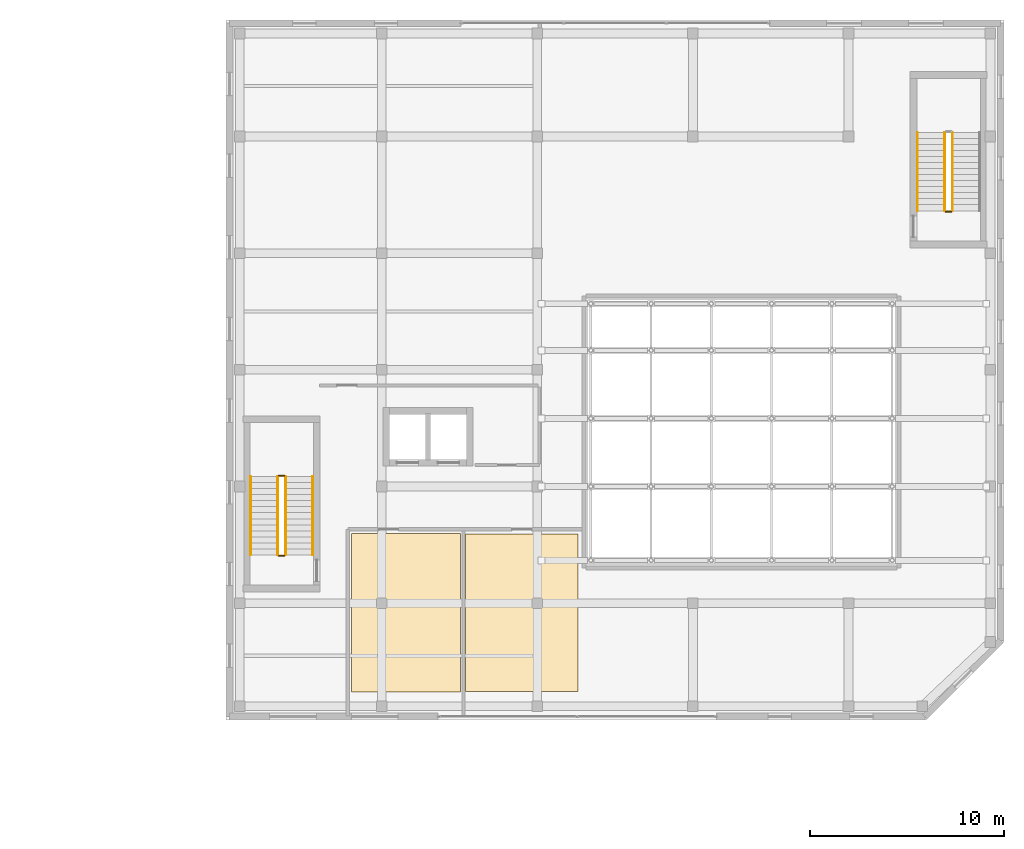
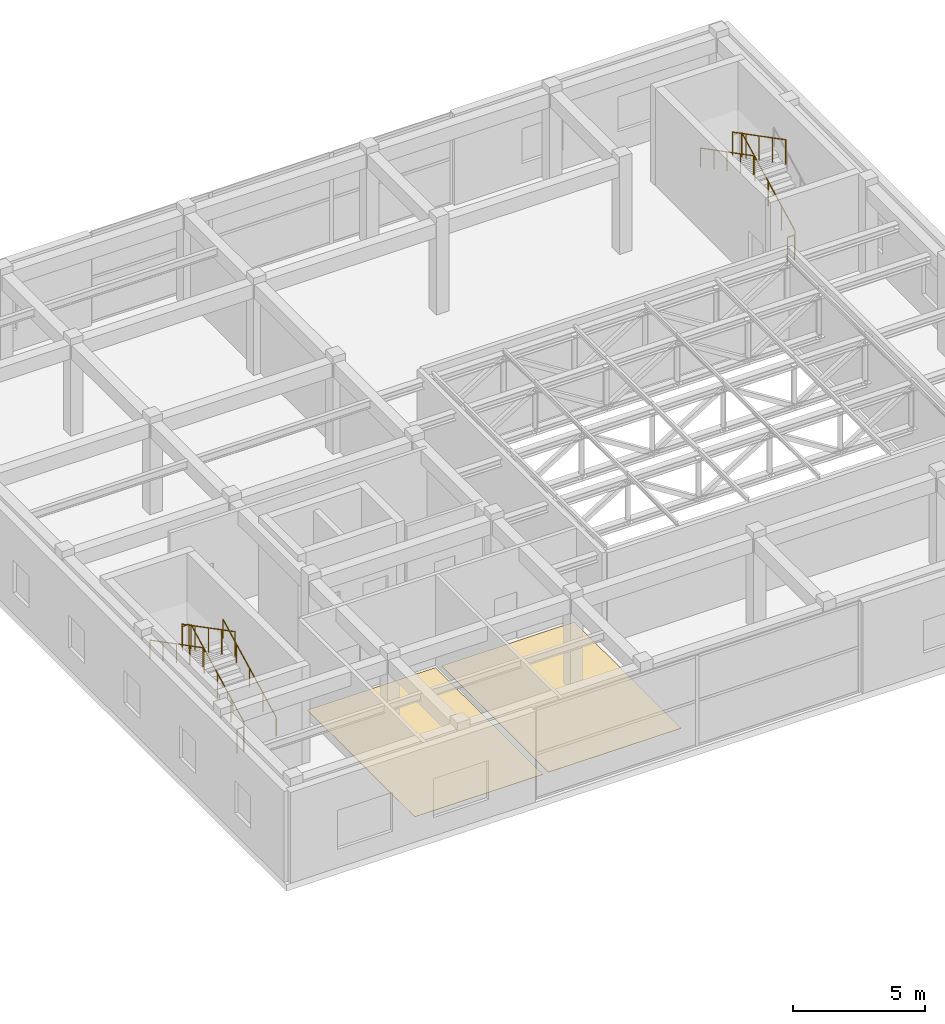
# One storey, part 32 of 33: 10 railings, 2 coverings.
"""IFC4 building model written with IfcOpenShell, lengths in metres."""

from ifc_helpers import new_model, si_unit, direction, frame, origin, origin_2d, place, context, subcontext, project, spatial, polyline, circle, outline, extrude, material, layer, layer_set, type_object, element, save


model = new_model("IFC4")

# Units and contexts
model_context = context("Model", 3, precision=1e-05, world=origin(), true_north=direction((0.0, 1.0)))
body_context = subcontext(model_context, "Body", "Model", "MODEL_VIEW")
ifc_project = project(units=[si_unit("LENGTHUNIT", "METRE"), si_unit("AREAUNIT", "SQUARE_METRE"), si_unit("VOLUMEUNIT", "CUBIC_METRE"), si_unit("PLANEANGLEUNIT", "RADIAN"), si_unit("MASSUNIT", "GRAM", prefix="KILO")], contexts=[model_context])

# Site, building, storey
site_placement = place(None, origin())
site = spatial("IfcSite", under=ifc_project, at=site_placement, CompositionType="ELEMENT")
building_placement = place(site_placement, origin())
building = spatial("IfcBuilding", under=site, at=building_placement, Name="Khoralis Quay Care Tower", CompositionType="ELEMENT")
storey_placement = place(building_placement, frame((0.0, 0.0, 18.0)))
storey = spatial("IfcBuildingStorey", under=building, at=storey_placement, Name="L04", CompositionType="ELEMENT", Elevation=18.0)

# Coverings
ifc_material_1 = material(Name="Porcelain and non-slip vinyl flooring")
ifc_layer = layer(ifc_material_1, 0.02001953125)
ifc_layer_set = layer_set([ifc_layer], Name="Porcelain and non-slip vinyl flooring")
covering_type = type_object("IfcCoveringType", Name="COV-FLOOR-20", PredefinedType="FLOORING", material=ifc_layer_set)
covering_1_placement = place(storey_placement, origin())
element("IfcCovering", 1, at=covering_1_placement, inside=storey, type_object=covering_type, Name="Resilient Healthcare Flooring SP-L04-SCS-0", PredefinedType="FLOORING", context=body_context, shape_type="SweptSolid", body=[
    extrude(outline(polyline([(74.43994140625, 7.429931640625), (80.0400390625, 7.429931640625), (80.0400390625, 15.570068359375), (74.43994140625, 15.570068359375), (74.43994140625, 7.429931640625)])), origin(), (0.0, 0.0, 1.0), 0.02001953125),
])
covering_2_placement = place(storey_placement, origin())
element("IfcCovering", 2, at=covering_2_placement, inside=storey, type_object=covering_type, Name="Resilient Healthcare Flooring SP-L04-SCS-1", PredefinedType="FLOORING", context=body_context, shape_type="SweptSolid", body=[
    extrude(outline(polyline([(80.300048828125, 7.449951171875), (86.10009765625, 7.449951171875), (86.10009765625, 15.550048828125), (80.300048828125, 15.550048828125), (80.300048828125, 7.449951171875)])), origin(), (0.0, 0.0, 1.0), 0.02001953125),
])

# Railings
ifc_material_2 = material(Name="Brushed stainless steel", Category="steel")
railing_type_1 = type_object("IfcRailingType", Name="RL-GUARD-1150", PredefinedType="GUARDRAIL", material=ifc_material_2)
railing_1_placement = place(storey_placement, frame((71.050048828125, 14.47998046875, 0.16064453125)))
element("IfcRailing", 3, at=railing_1_placement, inside=storey, type_object=railing_type_1, Name="L04 ST-S1 stair guard 1", PredefinedType="GUARDRAIL", context=body_context, shape_type="SweptSolid", body=[
    extrude(circle(Radius=0.02392578125, at=origin_2d()), frame((0.0, 0.0, 1.1259765625), z_axis=(0.0, 0.887780577991, 0.46026692836), x_axis=(-1.0, 0.0, 0.0)), (0.0, 0.0, 1.0), 4.53955078125),
    extrude(circle(Radius=0.02099609375, at=origin_2d()), origin(), (0.0, 0.0, 1.0), 1.101806640625),
    extrude(circle(Radius=0.02099609375, at=origin_2d()), frame((0.0, 1.007568359375, 0.5224609375)), (0.0, 0.0, 1.0), 1.101806640625),
    extrude(circle(Radius=0.02099609375, at=origin_2d()), frame((0.0, 2.01513671875, 1.044677734375)), (0.0, 0.0, 1.0), 1.101806640625),
    extrude(circle(Radius=0.02099609375, at=origin_2d()), frame((0.0, 3.0224609375, 1.56689453125)), (0.0, 0.0, 1.0), 1.101806640625),
    extrude(circle(Radius=0.02099609375, at=origin_2d()), frame((0.0, 4.030029296875, 2.08935546875)), (0.0, 0.0, 1.0), 1.101806640625),
])
railing_2_placement = place(storey_placement, frame((71.0, 18.56005859375, 2.25)))
element("IfcRailing", 4, at=railing_2_placement, inside=storey, type_object=railing_type_1, Name="L04 ST-S1 stair guard 2", PredefinedType="GUARDRAIL", context=body_context, shape_type="SweptSolid", body=[
    extrude(circle(Radius=0.02392578125, at=origin_2d()), frame((0.0, 0.0, 1.1259765625), z_axis=(-1.0, 0.0, 0.0), x_axis=(0.0, -1.0, 0.0)), (0.0, 0.0, 1.0), 0.300048828125),
    extrude(circle(Radius=0.02099609375, at=origin_2d()), origin(), (0.0, 0.0, 1.0), 1.101806640625),
    extrude(circle(Radius=0.02099609375, at=origin_2d()), frame((-0.300048828125, 0.0, 0.0)), (0.0, 0.0, 1.0), 1.101806640625),
])
railing_3_placement = place(storey_placement, frame((70.64990234375, 18.510009765625, 2.41064453125)))
element("IfcRailing", 5, at=railing_3_placement, inside=storey, type_object=railing_type_1, Name="L04 ST-S1 stair guard 3", PredefinedType="GUARDRAIL", context=body_context, shape_type="SweptSolid", body=[
    extrude(circle(Radius=0.02392578125, at=origin_2d()), frame((0.0, 0.0, 1.1259765625), z_axis=(0.0, -0.887780577991, 0.46026692836), x_axis=(1.0, 0.0, 0.0)), (0.0, 0.0, 1.0), 4.53955078125),
    extrude(circle(Radius=0.02099609375, at=origin_2d()), origin(), (0.0, 0.0, 1.0), 1.101806640625),
    extrude(circle(Radius=0.02099609375, at=origin_2d()), frame((0.0, -1.007568359375, 0.5224609375)), (0.0, 0.0, 1.0), 1.101806640625),
    extrude(circle(Radius=0.02099609375, at=origin_2d()), frame((0.0, -2.01513671875, 1.044677734375)), (0.0, 0.0, 1.0), 1.101806640625),
    extrude(circle(Radius=0.02099609375, at=origin_2d()), frame((0.0, -3.0224609375, 1.56689453125)), (0.0, 0.0, 1.0), 1.101806640625),
    extrude(circle(Radius=0.02099609375, at=origin_2d()), frame((0.0, -4.030029296875, 2.08935546875)), (0.0, 0.0, 1.0), 1.101806640625),
])
railing_4_placement = place(storey_placement, frame((71.0, 14.429931640625, 0.0)))
element("IfcRailing", 6, at=railing_4_placement, inside=storey, type_object=railing_type_1, Name="L04 ST-S1 stair guard 4", PredefinedType="GUARDRAIL", context=body_context, shape_type="SweptSolid", body=[
    extrude(circle(Radius=0.02392578125, at=origin_2d()), frame((0.0, 0.0, 1.1259765625), z_axis=(-1.0, 0.0, 0.0), x_axis=(0.0, -1.0, 0.0)), (0.0, 0.0, 1.0), 0.300048828125),
    extrude(circle(Radius=0.02099609375, at=origin_2d()), origin(), (0.0, 0.0, 1.0), 1.101806640625),
    extrude(circle(Radius=0.02099609375, at=origin_2d()), frame((-0.300048828125, 0.0, 0.0)), (0.0, 0.0, 1.0), 1.101806640625),
])
railing_5_placement = place(storey_placement, frame((105.35009765625, 32.179931640625, 0.16064453125)))
element("IfcRailing", 7, at=railing_5_placement, inside=storey, type_object=railing_type_1, Name="L04 ST-S2 stair guard 1", PredefinedType="GUARDRAIL", context=body_context, shape_type="SweptSolid", body=[
    extrude(circle(Radius=0.02392578125, at=origin_2d()), frame((0.0, 0.0, 1.1259765625), z_axis=(0.0, 0.887780577991, 0.46026692836), x_axis=(-1.0, 0.0, 0.0)), (0.0, 0.0, 1.0), 4.53955078125),
    extrude(circle(Radius=0.02099609375, at=origin_2d()), origin(), (0.0, 0.0, 1.0), 1.101806640625),
    extrude(circle(Radius=0.02099609375, at=origin_2d()), frame((0.0, 1.007568359375, 0.5224609375)), (0.0, 0.0, 1.0), 1.101806640625),
    extrude(circle(Radius=0.02099609375, at=origin_2d()), frame((0.0, 2.01513671875, 1.044677734375)), (0.0, 0.0, 1.0), 1.101806640625),
    extrude(circle(Radius=0.02099609375, at=origin_2d()), frame((0.0, 3.0224609375, 1.56689453125)), (0.0, 0.0, 1.0), 1.101806640625),
    extrude(circle(Radius=0.02099609375, at=origin_2d()), frame((0.0, 4.030029296875, 2.08935546875)), (0.0, 0.0, 1.0), 1.101806640625),
])
railing_6_placement = place(storey_placement, frame((104.949951171875, 36.2099609375, 2.41064453125)))
element("IfcRailing", 8, at=railing_6_placement, inside=storey, type_object=railing_type_1, Name="L04 ST-S2 stair guard 3", PredefinedType="GUARDRAIL", context=body_context, shape_type="SweptSolid", body=[
    extrude(circle(Radius=0.02392578125, at=origin_2d()), frame((0.0, 0.0, 1.1259765625), z_axis=(0.0, -0.887780577991, 0.46026692836), x_axis=(1.0, 0.0, 0.0)), (0.0, 0.0, 1.0), 4.53955078125),
    extrude(circle(Radius=0.02099609375, at=origin_2d()), origin(), (0.0, 0.0, 1.0), 1.101806640625),
    extrude(circle(Radius=0.02099609375, at=origin_2d()), frame((0.0, -1.007568359375, 0.5224609375)), (0.0, 0.0, 1.0), 1.101806640625),
    extrude(circle(Radius=0.02099609375, at=origin_2d()), frame((0.0, -2.01513671875, 1.044677734375)), (0.0, 0.0, 1.0), 1.101806640625),
    extrude(circle(Radius=0.02099609375, at=origin_2d()), frame((0.0, -3.0224609375, 1.56689453125)), (0.0, 0.0, 1.0), 1.101806640625),
    extrude(circle(Radius=0.02099609375, at=origin_2d()), frame((0.0, -4.030029296875, 2.08935546875)), (0.0, 0.0, 1.0), 1.101806640625),
])
railing_7_placement = place(storey_placement, frame((105.300048828125, 32.1298828125, 0.0)))
element("IfcRailing", 9, at=railing_7_placement, inside=storey, type_object=railing_type_1, Name="L04 ST-S2 stair guard 4", PredefinedType="GUARDRAIL", context=body_context, shape_type="SweptSolid", body=[
    extrude(circle(Radius=0.02392578125, at=origin_2d()), frame((0.0, 0.0, 1.1259765625), z_axis=(-1.0, 0.0, 0.0), x_axis=(0.0, -1.0, 0.0)), (0.0, 0.0, 1.0), 0.300048828125),
    extrude(circle(Radius=0.02099609375, at=origin_2d()), origin(), (0.0, 0.0, 1.0), 1.101806640625),
    extrude(circle(Radius=0.02099609375, at=origin_2d()), frame((-0.300048828125, 0.0, 0.0)), (0.0, 0.0, 1.0), 1.101806640625),
])
railing_type_2 = type_object("IfcRailingType", Name="RL-HAND-900", PredefinedType="HANDRAIL", material=ifc_material_2)
railing_8_placement = place(storey_placement, frame((72.449951171875, 14.47998046875, 0.16064453125)))
element("IfcRailing", 10, at=railing_8_placement, inside=storey, type_object=railing_type_2, Name="L04 ST-S1 stair handrail 1", PredefinedType="HANDRAIL", context=body_context, shape_type="SweptSolid", body=[
    extrude(circle(Radius=0.02392578125, at=origin_2d()), frame((0.0, 0.0, 0.8759765625), z_axis=(0.0, 0.887780577991, 0.46026692836), x_axis=(-1.0, 0.0, 0.0)), (0.0, 0.0, 1.0), 4.53955078125),
    extrude(circle(Radius=0.02099609375, at=origin_2d()), origin(), (0.0, 0.0, 1.0), 0.851806640625),
    extrude(circle(Radius=0.02099609375, at=origin_2d()), frame((0.0, 1.007568359375, 0.5224609375)), (0.0, 0.0, 1.0), 0.851806640625),
    extrude(circle(Radius=0.02099609375, at=origin_2d()), frame((0.0, 2.01513671875, 1.044677734375)), (0.0, 0.0, 1.0), 0.851806640625),
    extrude(circle(Radius=0.02099609375, at=origin_2d()), frame((0.0, 3.0224609375, 1.56689453125)), (0.0, 0.0, 1.0), 0.851806640625),
    extrude(circle(Radius=0.02099609375, at=origin_2d()), frame((0.0, 4.030029296875, 2.08935546875)), (0.0, 0.0, 1.0), 0.851806640625),
])
for number, where, name in (
    (11, (69.25, 18.510009765625, 2.41064453125), "L04 ST-S1 stair handrail 2"),
    (12, (103.550048828125, 36.2099609375, 2.41064453125), "L04 ST-S2 stair handrail 2"),
):
    element("IfcRailing", number, at=place(storey_placement, frame(where)), inside=storey, type_object=railing_type_2, Name=name, PredefinedType="HANDRAIL", context=body_context, shape_type="SweptSolid", body=[
        extrude(circle(Radius=0.02392578125, at=origin_2d()), frame((0.0, 0.0, 0.8759765625), z_axis=(0.0, -0.887780577991, 0.46026692836), x_axis=(1.0, 0.0, 0.0)), (0.0, 0.0, 1.0), 4.53955078125),
        extrude(circle(Radius=0.02099609375, at=origin_2d()), origin(), (0.0, 0.0, 1.0), 0.851806640625),
        extrude(circle(Radius=0.02099609375, at=origin_2d()), frame((0.0, -1.007568359375, 0.5224609375)), (0.0, 0.0, 1.0), 0.851806640625),
        extrude(circle(Radius=0.02099609375, at=origin_2d()), frame((0.0, -2.01513671875, 1.044677734375)), (0.0, 0.0, 1.0), 0.851806640625),
        extrude(circle(Radius=0.02099609375, at=origin_2d()), frame((0.0, -3.0224609375, 1.56689453125)), (0.0, 0.0, 1.0), 0.851806640625),
        extrude(circle(Radius=0.02099609375, at=origin_2d()), frame((0.0, -4.030029296875, 2.08935546875)), (0.0, 0.0, 1.0), 0.851806640625),
    ])

save(model, "model.ifc")
